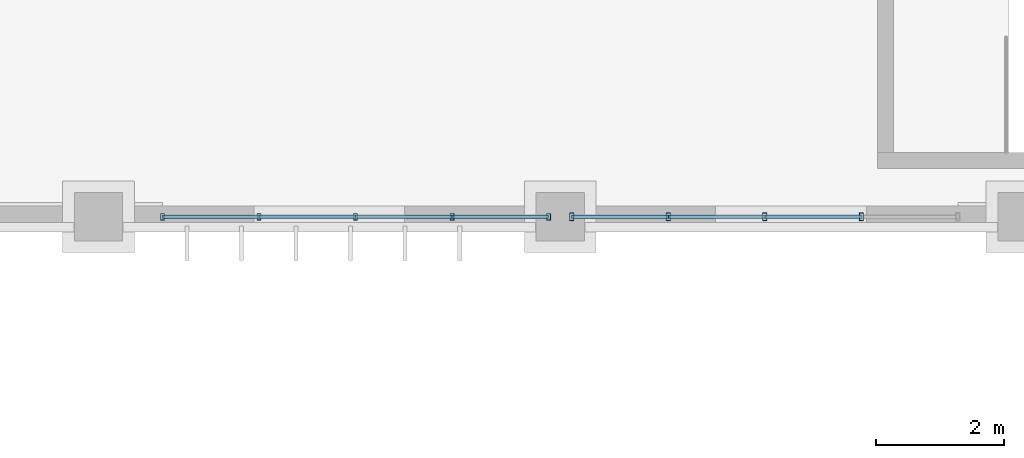
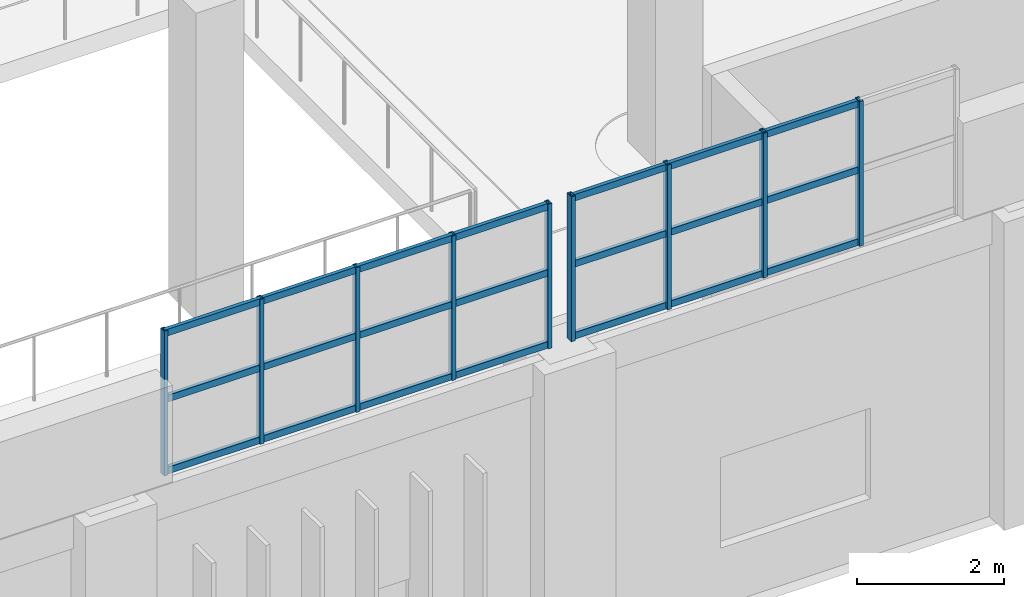
# One storey, part 41 of 174: 30 members, 2 elements without a shape of their own.
"""IFC4 building model written with IfcOpenShell, lengths in metres."""

from ifc_helpers import new_model, si_unit, direction, frame, origin, origin_2d, place, context, subcontext, project, spatial, hollow_rectangle, extrude, material, material_profile, profile_set, type_object, element, aggregate, save


model = new_model("IFC4")

# Units and contexts
model_context = context("Model", 3, precision=1e-05, world=origin(), true_north=direction((0.0, 1.0)))
body_context = subcontext(model_context, "Body", "Model", "MODEL_VIEW")
ifc_project = project(units=[si_unit("LENGTHUNIT", "METRE"), si_unit("AREAUNIT", "SQUARE_METRE"), si_unit("VOLUMEUNIT", "CUBIC_METRE"), si_unit("PLANEANGLEUNIT", "RADIAN"), si_unit("MASSUNIT", "GRAM", prefix="KILO")], contexts=[model_context])

# Site, building, storey
site_placement = place(None, origin())
site = spatial("IfcSite", under=ifc_project, at=site_placement, CompositionType="ELEMENT")
building_placement = place(site_placement, origin())
building = spatial("IfcBuilding", under=site, at=building_placement, Name="Mavantir Sound Aquarium", CompositionType="ELEMENT")
storey_placement = place(building_placement, frame((0.0, 0.0, 5.39990234375)))
storey = spatial("IfcBuildingStorey", under=building, at=storey_placement, Name="L01", CompositionType="ELEMENT", Elevation=5.39990234375)

# Curtain wall, members
ifc_material_1 = material(Name="Anodised Marine Aluminium and Low-E Glass", Category="aluminium")
curtain_wall_type_1 = type_object("IfcCurtainWallType", Name="CW-T16", PredefinedType="USERDEFINED", material=ifc_material_1)
curtain_wall_1_placement = place(storey_placement, origin())
curtain_wall_1 = element("IfcCurtainWall", 1, at=curtain_wall_1_placement, inside=storey, type_object=curtain_wall_type_1, Name="L01 unitised curtain wall CW-16 183", ObjectType="UNITISED GLAZING", PredefinedType="USERDEFINED")
ifc_material_2 = material(Name="Anodised Marine Aluminium 6063-T6", Category="aluminium")
ifc_material_profile_1 = material_profile(ifc_material_2, hollow_rectangle(XDim=0.06005859375, YDim=0.10009765625, WallThickness=0.00390625, at=origin_2d()), Name="ALU-MULLION-100X60")
ifc_profile_set_1 = profile_set([ifc_material_profile_1], Name="Anodised Marine Aluminium 6063-T6")
member_type_1 = type_object("IfcMemberType", Name="CW-MUL-100", PredefinedType="MULLION", material=ifc_profile_set_1)
member_1_placement = place(storey_placement, frame((75.39990234375, 14.39990234375, 5.10009765625), z_axis=(0.0, 0.0, 1.0), x_axis=(1.0, 0.0, 0.0)))
member_1 = element("IfcMember", 2, at=member_1_placement, type_object=member_type_1, Name="CW-V7LUN-SW vertical mullion 1", PredefinedType="MULLION", context=body_context, shape_type="SweptSolid", body=[
    extrude(hollow_rectangle(XDim=0.06005859375, YDim=0.10009765625, WallThickness=0.00390625, at=origin_2d()), origin(), (0.0, 0.0, 1.0), 2.39990234375),
])
member_2_placement = place(storey_placement, frame((76.905029296875, 14.39990234375, 5.10009765625), z_axis=(0.0, 0.0, 1.0), x_axis=(1.0, 0.0, 0.0)))
member_2 = element("IfcMember", 3, at=member_2_placement, type_object=member_type_1, Name="CW-V7LUN-SW vertical mullion 2", PredefinedType="MULLION", context=body_context, shape_type="SweptSolid", body=[
    extrude(hollow_rectangle(XDim=0.06005859375, YDim=0.10009765625, WallThickness=0.00390625, at=origin_2d()), origin(), (0.0, 0.0, 1.0), 2.39990234375),
])
member_3_placement = place(storey_placement, frame((78.409912109375, 14.39990234375, 5.10009765625), z_axis=(0.0, 0.0, 1.0), x_axis=(1.0, 0.0, 0.0)))
member_3 = element("IfcMember", 4, at=member_3_placement, type_object=member_type_1, Name="CW-V7LUN-SW vertical mullion 3", PredefinedType="MULLION", context=body_context, shape_type="SweptSolid", body=[
    extrude(hollow_rectangle(XDim=0.06005859375, YDim=0.10009765625, WallThickness=0.00390625, at=origin_2d()), origin(), (0.0, 0.0, 1.0), 2.39990234375),
])
member_4_placement = place(storey_placement, frame((79.9150390625, 14.39990234375, 5.10009765625), z_axis=(0.0, 0.0, 1.0), x_axis=(1.0, 0.0, 0.0)))
member_4 = element("IfcMember", 5, at=member_4_placement, type_object=member_type_1, Name="CW-V7LUN-SW vertical mullion 4", PredefinedType="MULLION", context=body_context, shape_type="SweptSolid", body=[
    extrude(hollow_rectangle(XDim=0.06005859375, YDim=0.10009765625, WallThickness=0.00390625, at=origin_2d()), origin(), (0.0, 0.0, 1.0), 2.39990234375),
])
member_5_placement = place(storey_placement, frame((81.419921875, 14.39990234375, 5.10009765625), z_axis=(0.0, 0.0, 1.0), x_axis=(1.0, 0.0, 0.0)))
member_5 = element("IfcMember", 6, at=member_5_placement, type_object=member_type_1, Name="CW-V7LUN-SW vertical mullion 5", PredefinedType="MULLION", context=body_context, shape_type="SweptSolid", body=[
    extrude(hollow_rectangle(XDim=0.06005859375, YDim=0.10009765625, WallThickness=0.00390625, at=origin_2d()), origin(), (0.0, 0.0, 1.0), 2.39990234375),
])

curtain_wall_type_2 = type_object("IfcCurtainWallType", Name="CW-T17", PredefinedType="USERDEFINED", material=ifc_material_1)
curtain_wall_2_placement = place(storey_placement, origin())
curtain_wall_2 = element("IfcCurtainWall", 7, at=curtain_wall_2_placement, inside=storey, type_object=curtain_wall_type_2, Name="L01 unitised curtain wall CW-17 184", ObjectType="UNITISED GLAZING", PredefinedType="USERDEFINED")
ifc_material_profile_2 = material_profile(ifc_material_2, hollow_rectangle(XDim=0.06494140625, YDim=0.1201171875, WallThickness=0.00390625, at=origin_2d()), Name="ALU-MULLION-120X65")
ifc_profile_set_2 = profile_set([ifc_material_profile_2], Name="Anodised Marine Aluminium 6063-T6")
member_type_2 = type_object("IfcMemberType", Name="CW-MUL-120", PredefinedType="MULLION", material=ifc_profile_set_2)
member_6_placement = place(storey_placement, frame((81.780029296875, 14.39990234375, 5.10009765625), z_axis=(0.0, 0.0, 1.0), x_axis=(1.0, 0.0, 0.0)))
member_6 = element("IfcMember", 8, at=member_6_placement, type_object=member_type_2, Name="CW-V7LUN-SE vertical mullion 1", PredefinedType="MULLION", context=body_context, shape_type="SweptSolid", body=[
    extrude(hollow_rectangle(XDim=0.06494140625, YDim=0.1201171875, WallThickness=0.00390625, at=origin_2d()), origin(), (0.0, 0.0, 1.0), 2.39990234375),
])
member_7_placement = place(storey_placement, frame((83.284912109375, 14.39990234375, 5.10009765625), z_axis=(0.0, 0.0, 1.0), x_axis=(1.0, 0.0, 0.0)))
member_7 = element("IfcMember", 9, at=member_7_placement, type_object=member_type_2, Name="CW-V7LUN-SE vertical mullion 2", PredefinedType="MULLION", context=body_context, shape_type="SweptSolid", body=[
    extrude(hollow_rectangle(XDim=0.06494140625, YDim=0.1201171875, WallThickness=0.00390625, at=origin_2d()), origin(), (0.0, 0.0, 1.0), 2.39990234375),
])
member_8_placement = place(storey_placement, frame((84.7900390625, 14.39990234375, 5.10009765625), z_axis=(0.0, 0.0, 1.0), x_axis=(1.0, 0.0, 0.0)))
member_8 = element("IfcMember", 10, at=member_8_placement, type_object=member_type_2, Name="CW-V7LUN-SE vertical mullion 3", PredefinedType="MULLION", context=body_context, shape_type="SweptSolid", body=[
    extrude(hollow_rectangle(XDim=0.06494140625, YDim=0.1201171875, WallThickness=0.00390625, at=origin_2d()), origin(), (0.0, 0.0, 1.0), 2.39990234375),
])
member_9_placement = place(storey_placement, frame((86.294921875, 14.39990234375, 5.10009765625), z_axis=(0.0, 0.0, 1.0), x_axis=(1.0, 0.0, 0.0)))
member_9 = element("IfcMember", 11, at=member_9_placement, type_object=member_type_2, Name="CW-V7LUN-SE vertical mullion 4", PredefinedType="MULLION", context=body_context, shape_type="SweptSolid", body=[
    extrude(hollow_rectangle(XDim=0.06494140625, YDim=0.1201171875, WallThickness=0.00390625, at=origin_2d()), origin(), (0.0, 0.0, 1.0), 2.39990234375),
])

# Member
ifc_material_profile_3 = material_profile(ifc_material_2, hollow_rectangle(XDim=0.06005859375, YDim=0.110107421875, WallThickness=0.00390625, at=origin_2d()), Name="ALU-TRANSOM-110X60")
ifc_profile_set_3 = profile_set([ifc_material_profile_3], Name="Anodised Marine Aluminium 6063-T6")
member_type_3 = type_object("IfcMemberType", Name="CW-TRN-110", PredefinedType="USERDEFINED", material=ifc_profile_set_3)
member_10_placement = place(storey_placement, frame((75.39990234375, 14.39990234375, 5.155029296875), z_axis=(1.0, 0.0, 0.0), x_axis=(0.0, 1.0, 0.0)))
member_10 = element("IfcMember", 12, at=member_10_placement, type_object=member_type_3, Name="CW-V7LUN-SW transom 1.1", ObjectType="TRANSOM", PredefinedType="USERDEFINED", context=body_context, shape_type="SweptSolid", body=[
    extrude(hollow_rectangle(XDim=0.06005859375, YDim=0.110107421875, WallThickness=0.00390625, at=origin_2d()), origin(), (0.0, 0.0, 1.0), 1.505126953125),
])

member_11_placement = place(storey_placement, frame((75.39990234375, 14.39990234375, 6.34814453125), z_axis=(1.0, 0.0, 0.0), x_axis=(0.0, 1.0, 0.0)))
member_11 = element("IfcMember", 13, at=member_11_placement, type_object=member_type_3, Name="CW-V7LUN-SW transom 1.2", ObjectType="TRANSOM", PredefinedType="USERDEFINED", context=body_context, shape_type="SweptSolid", body=[
    extrude(hollow_rectangle(XDim=0.06005859375, YDim=0.110107421875, WallThickness=0.00390625, at=origin_2d()), origin(), (0.0, 0.0, 1.0), 1.505126953125),
])

member_12_placement = place(storey_placement, frame((75.39990234375, 14.39990234375, 7.445068359375), z_axis=(1.0, 0.0, 0.0), x_axis=(0.0, 1.0, 0.0)))
member_12 = element("IfcMember", 14, at=member_12_placement, type_object=member_type_3, Name="CW-V7LUN-SW transom 1.3", ObjectType="TRANSOM", PredefinedType="USERDEFINED", context=body_context, shape_type="SweptSolid", body=[
    extrude(hollow_rectangle(XDim=0.06005859375, YDim=0.110107421875, WallThickness=0.00390625, at=origin_2d()), origin(), (0.0, 0.0, 1.0), 1.505126953125),
])

member_13_placement = place(storey_placement, frame((76.905029296875, 14.39990234375, 5.155029296875), z_axis=(1.0, 0.0, 0.0), x_axis=(0.0, 1.0, 0.0)))
member_13 = element("IfcMember", 15, at=member_13_placement, type_object=member_type_3, Name="CW-V7LUN-SW transom 2.1", ObjectType="TRANSOM", PredefinedType="USERDEFINED", context=body_context, shape_type="SweptSolid", body=[
    extrude(hollow_rectangle(XDim=0.06005859375, YDim=0.110107421875, WallThickness=0.00390625, at=origin_2d()), origin(), (0.0, 0.0, 1.0), 1.5048828125),
])

member_14_placement = place(storey_placement, frame((76.905029296875, 14.39990234375, 6.34814453125), z_axis=(1.0, 0.0, 0.0), x_axis=(0.0, 1.0, 0.0)))
member_14 = element("IfcMember", 16, at=member_14_placement, type_object=member_type_3, Name="CW-V7LUN-SW transom 2.2", ObjectType="TRANSOM", PredefinedType="USERDEFINED", context=body_context, shape_type="SweptSolid", body=[
    extrude(hollow_rectangle(XDim=0.06005859375, YDim=0.110107421875, WallThickness=0.00390625, at=origin_2d()), origin(), (0.0, 0.0, 1.0), 1.5048828125),
])

member_15_placement = place(storey_placement, frame((76.905029296875, 14.39990234375, 7.445068359375), z_axis=(1.0, 0.0, 0.0), x_axis=(0.0, 1.0, 0.0)))
member_15 = element("IfcMember", 17, at=member_15_placement, type_object=member_type_3, Name="CW-V7LUN-SW transom 2.3", ObjectType="TRANSOM", PredefinedType="USERDEFINED", context=body_context, shape_type="SweptSolid", body=[
    extrude(hollow_rectangle(XDim=0.06005859375, YDim=0.110107421875, WallThickness=0.00390625, at=origin_2d()), origin(), (0.0, 0.0, 1.0), 1.5048828125),
])

member_16_placement = place(storey_placement, frame((78.409912109375, 14.39990234375, 5.155029296875), z_axis=(1.0, 0.0, 0.0), x_axis=(0.0, 1.0, 0.0)))
member_16 = element("IfcMember", 18, at=member_16_placement, type_object=member_type_3, Name="CW-V7LUN-SW transom 3.1", ObjectType="TRANSOM", PredefinedType="USERDEFINED", context=body_context, shape_type="SweptSolid", body=[
    extrude(hollow_rectangle(XDim=0.06005859375, YDim=0.110107421875, WallThickness=0.00390625, at=origin_2d()), origin(), (0.0, 0.0, 1.0), 1.505126953125),
])

member_17_placement = place(storey_placement, frame((78.409912109375, 14.39990234375, 6.34814453125), z_axis=(1.0, 0.0, 0.0), x_axis=(0.0, 1.0, 0.0)))
member_17 = element("IfcMember", 19, at=member_17_placement, type_object=member_type_3, Name="CW-V7LUN-SW transom 3.2", ObjectType="TRANSOM", PredefinedType="USERDEFINED", context=body_context, shape_type="SweptSolid", body=[
    extrude(hollow_rectangle(XDim=0.06005859375, YDim=0.110107421875, WallThickness=0.00390625, at=origin_2d()), origin(), (0.0, 0.0, 1.0), 1.505126953125),
])

member_18_placement = place(storey_placement, frame((78.409912109375, 14.39990234375, 7.445068359375), z_axis=(1.0, 0.0, 0.0), x_axis=(0.0, 1.0, 0.0)))
member_18 = element("IfcMember", 20, at=member_18_placement, type_object=member_type_3, Name="CW-V7LUN-SW transom 3.3", ObjectType="TRANSOM", PredefinedType="USERDEFINED", context=body_context, shape_type="SweptSolid", body=[
    extrude(hollow_rectangle(XDim=0.06005859375, YDim=0.110107421875, WallThickness=0.00390625, at=origin_2d()), origin(), (0.0, 0.0, 1.0), 1.505126953125),
])

member_19_placement = place(storey_placement, frame((79.9150390625, 14.39990234375, 5.155029296875), z_axis=(1.0, 0.0, 0.0), x_axis=(0.0, 1.0, 0.0)))
member_19 = element("IfcMember", 21, at=member_19_placement, type_object=member_type_3, Name="CW-V7LUN-SW transom 4.1", ObjectType="TRANSOM", PredefinedType="USERDEFINED", context=body_context, shape_type="SweptSolid", body=[
    extrude(hollow_rectangle(XDim=0.06005859375, YDim=0.110107421875, WallThickness=0.00390625, at=origin_2d()), origin(), (0.0, 0.0, 1.0), 1.5048828125),
])

member_20_placement = place(storey_placement, frame((79.9150390625, 14.39990234375, 6.34814453125), z_axis=(1.0, 0.0, 0.0), x_axis=(0.0, 1.0, 0.0)))
member_20 = element("IfcMember", 22, at=member_20_placement, type_object=member_type_3, Name="CW-V7LUN-SW transom 4.2", ObjectType="TRANSOM", PredefinedType="USERDEFINED", context=body_context, shape_type="SweptSolid", body=[
    extrude(hollow_rectangle(XDim=0.06005859375, YDim=0.110107421875, WallThickness=0.00390625, at=origin_2d()), origin(), (0.0, 0.0, 1.0), 1.5048828125),
])

member_21_placement = place(storey_placement, frame((79.9150390625, 14.39990234375, 7.445068359375), z_axis=(1.0, 0.0, 0.0), x_axis=(0.0, 1.0, 0.0)))
member_21 = element("IfcMember", 23, at=member_21_placement, type_object=member_type_3, Name="CW-V7LUN-SW transom 4.3", ObjectType="TRANSOM", PredefinedType="USERDEFINED", context=body_context, shape_type="SweptSolid", body=[
    extrude(hollow_rectangle(XDim=0.06005859375, YDim=0.110107421875, WallThickness=0.00390625, at=origin_2d()), origin(), (0.0, 0.0, 1.0), 1.5048828125),
])

aggregate(curtain_wall_1, [member_1, member_2, member_3, member_4, member_5, member_10, member_11, member_12, member_13, member_14, member_15, member_16, member_17, member_18, member_19, member_20, member_21])

member_22_placement = place(storey_placement, frame((81.780029296875, 14.39990234375, 5.155029296875), z_axis=(1.0, 0.0, 0.0), x_axis=(0.0, 1.0, 0.0)))
member_22 = element("IfcMember", 24, at=member_22_placement, type_object=member_type_3, Name="CW-V7LUN-SE transom 1.1", ObjectType="TRANSOM", PredefinedType="USERDEFINED", context=body_context, shape_type="SweptSolid", body=[
    extrude(hollow_rectangle(XDim=0.06005859375, YDim=0.110107421875, WallThickness=0.00390625, at=origin_2d()), origin(), (0.0, 0.0, 1.0), 1.5048828125),
])

member_23_placement = place(storey_placement, frame((81.780029296875, 14.39990234375, 6.34814453125), z_axis=(1.0, 0.0, 0.0), x_axis=(0.0, 1.0, 0.0)))
member_23 = element("IfcMember", 25, at=member_23_placement, type_object=member_type_3, Name="CW-V7LUN-SE transom 1.2", ObjectType="TRANSOM", PredefinedType="USERDEFINED", context=body_context, shape_type="SweptSolid", body=[
    extrude(hollow_rectangle(XDim=0.06005859375, YDim=0.110107421875, WallThickness=0.00390625, at=origin_2d()), origin(), (0.0, 0.0, 1.0), 1.5048828125),
])

member_24_placement = place(storey_placement, frame((81.780029296875, 14.39990234375, 7.445068359375), z_axis=(1.0, 0.0, 0.0), x_axis=(0.0, 1.0, 0.0)))
member_24 = element("IfcMember", 26, at=member_24_placement, type_object=member_type_3, Name="CW-V7LUN-SE transom 1.3", ObjectType="TRANSOM", PredefinedType="USERDEFINED", context=body_context, shape_type="SweptSolid", body=[
    extrude(hollow_rectangle(XDim=0.06005859375, YDim=0.110107421875, WallThickness=0.00390625, at=origin_2d()), origin(), (0.0, 0.0, 1.0), 1.5048828125),
])

member_25_placement = place(storey_placement, frame((83.284912109375, 14.39990234375, 5.155029296875), z_axis=(1.0, 0.0, 0.0), x_axis=(0.0, 1.0, 0.0)))
member_25 = element("IfcMember", 27, at=member_25_placement, type_object=member_type_3, Name="CW-V7LUN-SE transom 2.1", ObjectType="TRANSOM", PredefinedType="USERDEFINED", context=body_context, shape_type="SweptSolid", body=[
    extrude(hollow_rectangle(XDim=0.06005859375, YDim=0.110107421875, WallThickness=0.00390625, at=origin_2d()), origin(), (0.0, 0.0, 1.0), 1.505126953125),
])

member_26_placement = place(storey_placement, frame((83.284912109375, 14.39990234375, 6.34814453125), z_axis=(1.0, 0.0, 0.0), x_axis=(0.0, 1.0, 0.0)))
member_26 = element("IfcMember", 28, at=member_26_placement, type_object=member_type_3, Name="CW-V7LUN-SE transom 2.2", ObjectType="TRANSOM", PredefinedType="USERDEFINED", context=body_context, shape_type="SweptSolid", body=[
    extrude(hollow_rectangle(XDim=0.06005859375, YDim=0.110107421875, WallThickness=0.00390625, at=origin_2d()), origin(), (0.0, 0.0, 1.0), 1.505126953125),
])

member_27_placement = place(storey_placement, frame((83.284912109375, 14.39990234375, 7.445068359375), z_axis=(1.0, 0.0, 0.0), x_axis=(0.0, 1.0, 0.0)))
member_27 = element("IfcMember", 29, at=member_27_placement, type_object=member_type_3, Name="CW-V7LUN-SE transom 2.3", ObjectType="TRANSOM", PredefinedType="USERDEFINED", context=body_context, shape_type="SweptSolid", body=[
    extrude(hollow_rectangle(XDim=0.06005859375, YDim=0.110107421875, WallThickness=0.00390625, at=origin_2d()), origin(), (0.0, 0.0, 1.0), 1.505126953125),
])

member_28_placement = place(storey_placement, frame((84.7900390625, 14.39990234375, 5.155029296875), z_axis=(1.0, 0.0, 0.0), x_axis=(0.0, 1.0, 0.0)))
member_28 = element("IfcMember", 30, at=member_28_placement, type_object=member_type_3, Name="CW-V7LUN-SE transom 3.1", ObjectType="TRANSOM", PredefinedType="USERDEFINED", context=body_context, shape_type="SweptSolid", body=[
    extrude(hollow_rectangle(XDim=0.06005859375, YDim=0.110107421875, WallThickness=0.00390625, at=origin_2d()), origin(), (0.0, 0.0, 1.0), 1.5048828125),
])

member_29_placement = place(storey_placement, frame((84.7900390625, 14.39990234375, 6.34814453125), z_axis=(1.0, 0.0, 0.0), x_axis=(0.0, 1.0, 0.0)))
member_29 = element("IfcMember", 31, at=member_29_placement, type_object=member_type_3, Name="CW-V7LUN-SE transom 3.2", ObjectType="TRANSOM", PredefinedType="USERDEFINED", context=body_context, shape_type="SweptSolid", body=[
    extrude(hollow_rectangle(XDim=0.06005859375, YDim=0.110107421875, WallThickness=0.00390625, at=origin_2d()), origin(), (0.0, 0.0, 1.0), 1.5048828125),
])

member_30_placement = place(storey_placement, frame((84.7900390625, 14.39990234375, 7.445068359375), z_axis=(1.0, 0.0, 0.0), x_axis=(0.0, 1.0, 0.0)))
member_30 = element("IfcMember", 32, at=member_30_placement, type_object=member_type_3, Name="CW-V7LUN-SE transom 3.3", ObjectType="TRANSOM", PredefinedType="USERDEFINED", context=body_context, shape_type="SweptSolid", body=[
    extrude(hollow_rectangle(XDim=0.06005859375, YDim=0.110107421875, WallThickness=0.00390625, at=origin_2d()), origin(), (0.0, 0.0, 1.0), 1.5048828125),
])

aggregate(curtain_wall_2, [member_6, member_7, member_8, member_9, member_22, member_23, member_24, member_25, member_26, member_27, member_28, member_29, member_30])

save(model, "model.ifc")
